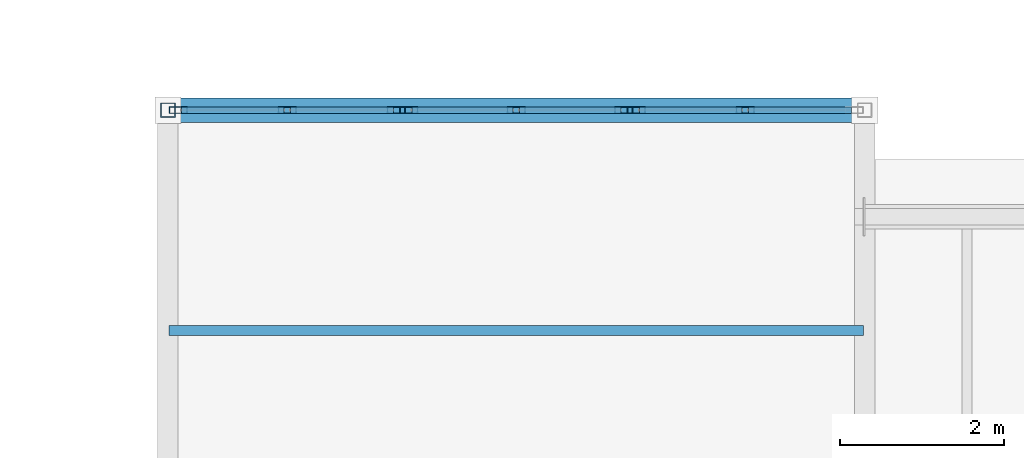
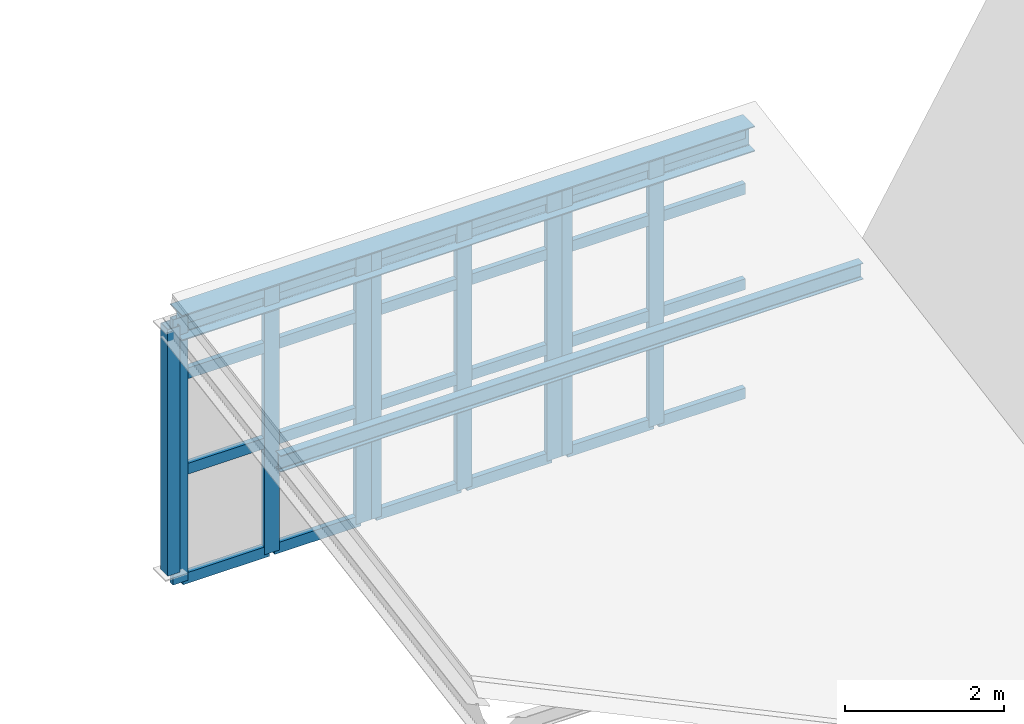
# One storey, part 17 of 77: 34 members, 1 beam, 3 elements without a shape of their own.
"""IFC4 building model written with IfcOpenShell, lengths in metres."""

from ifc_helpers import new_model, si_unit, direction, frame, origin, origin_2d, place, context, subcontext, project, spatial, hollow_rectangle, i_section, extrude, material, material_profile, profile_set, type_object, element, aggregate, save


model = new_model("IFC4")

# Units and contexts
model_context = context("Model", 3, precision=1e-05, world=origin(), true_north=direction((0.0, 1.0)))
body_context = subcontext(model_context, "Body", "Model", "MODEL_VIEW")
ifc_project = project(units=[si_unit("LENGTHUNIT", "METRE"), si_unit("AREAUNIT", "SQUARE_METRE"), si_unit("VOLUMEUNIT", "CUBIC_METRE"), si_unit("PLANEANGLEUNIT", "RADIAN"), si_unit("MASSUNIT", "GRAM", prefix="KILO"), si_unit("THERMODYNAMICTEMPERATUREUNIT", "KELVIN"), si_unit("POWERUNIT", "WATT")], contexts=[model_context])

# Site, building, storey
site_placement = place(None, origin())
site = spatial("IfcSite", under=ifc_project, at=site_placement, CompositionType="ELEMENT")
building_placement = place(site_placement, origin())
building = spatial("IfcBuilding", under=site, at=building_placement, Name="Zhenchuan Central Fire Station", CompositionType="ELEMENT")
storey_placement = place(building_placement, frame((0.0, 0.0, 10.050048828125)))
storey = spatial("IfcBuildingStorey", under=building, at=storey_placement, Name="L03", CompositionType="ELEMENT", Elevation=10.050048828125)

# Beam
ifc_material_1 = material(Name="Steel Q355B", Category="steel")
ifc_material_profile_1 = material_profile(ifc_material_1, i_section(OverallWidth=0.300048828125, OverallDepth=0.389892578125, WebThickness=0.010009765625, FlangeThickness=0.01611328125, FilletRadius=0.02001953125, at=origin_2d()), Name="HM 390x300")
ifc_profile_set_1 = profile_set([ifc_material_profile_1], Name="Steel Q355B")
beam_type = type_object("IfcBeamType", Name="BM-HM390-INT", PredefinedType="BEAM", material=ifc_profile_set_1)
beam_placement = place(storey_placement, frame((56.090087890625, 35.5, 3.78515625), z_axis=(1.0, 0.0, 0.0), x_axis=(0.0, 1.0, 0.0)))
element("IfcBeam", 1, at=beam_placement, inside=storey, type_object=beam_type, Name="Pavilion H01 North-Light Ridge Girder", PredefinedType="BEAM", context=body_context, shape_type="SweptSolid", body=[
    extrude(i_section(OverallWidth=0.300048828125, OverallDepth=0.389892578125, WebThickness=0.010009765625, FlangeThickness=0.01611328125, FilletRadius=0.02001953125, at=origin_2d()), origin(), (0.0, 0.0, 1.0), 8.31982421875),
])

# Curtain wall, members
ifc_material_2 = material(Name="Anodised aluminium and low-E glazing", Category="aluminium")
curtain_wall_type_1 = type_object("IfcCurtainWallType", Name="CW-MOD-18", PredefinedType="USERDEFINED", material=ifc_material_2)
curtain_wall_1_placement = place(storey_placement, origin())
curtain_wall_1 = element("IfcCurtainWall", 2, at=curtain_wall_1_placement, inside=storey, type_object=curtain_wall_type_1, Name="L03 Unitised Curtain Wall 001", ObjectType="UNITISED GLAZING", PredefinedType="USERDEFINED")
ifc_material_3 = material(Name="Anodised aluminium EN AW-6063", Category="aluminium")
ifc_material_profile_2 = material_profile(ifc_material_3, hollow_rectangle(XDim=0.080078125, YDim=0.219970703125, WallThickness=0.005615234375, at=origin_2d()), Name="ALU-M 220x80")
ifc_profile_set_2 = profile_set([ifc_material_profile_2], Name="Anodised aluminium EN AW-6063")
member_type_1 = type_object("IfcMemberType", Name="CW-MUL200", PredefinedType="MULLION", material=ifc_profile_set_2)
member_1_placement = place(storey_placement, frame((56.12548828125, 35.5, -0.2041015625), z_axis=(0.0, 0.0, 1.0), x_axis=(0.0, 1.0, 0.0)))
member_1 = element("IfcMember", 3, at=member_1_placement, type_object=member_type_1, Name="CW-18 mullion 1", PredefinedType="MULLION", context=body_context, shape_type="SweptSolid", body=[
    extrude(hollow_rectangle(XDim=0.080078125, YDim=0.219970703125, WallThickness=0.005615234375, at=origin_2d()), origin(), (0.0, 0.0, 1.0), 4.073974609375),
])
member_2_placement = place(storey_placement, frame((57.456298828125, 35.5, -0.2041015625), z_axis=(0.0, 0.0, 1.0), x_axis=(0.0, 1.0, 0.0)))
member_2 = element("IfcMember", 4, at=member_2_placement, type_object=member_type_1, Name="CW-18 mullion 2", PredefinedType="MULLION", context=body_context, shape_type="SweptSolid", body=[
    extrude(hollow_rectangle(XDim=0.080078125, YDim=0.219970703125, WallThickness=0.005615234375, at=origin_2d()), origin(), (0.0, 0.0, 1.0), 4.073974609375),
])
member_3_placement = place(storey_placement, frame((58.787109375, 35.5, -0.2041015625), z_axis=(0.0, 0.0, 1.0), x_axis=(0.0, 1.0, 0.0)))
member_3 = element("IfcMember", 5, at=member_3_placement, type_object=member_type_1, Name="CW-18 mullion 3", PredefinedType="MULLION", context=body_context, shape_type="SweptSolid", body=[
    extrude(hollow_rectangle(XDim=0.080078125, YDim=0.219970703125, WallThickness=0.005615234375, at=origin_2d()), origin(), (0.0, 0.0, 1.0), 4.073974609375),
])

curtain_wall_type_2 = type_object("IfcCurtainWallType", Name="CW-MOD-19", PredefinedType="USERDEFINED", material=ifc_material_2)
curtain_wall_2_placement = place(storey_placement, origin())
curtain_wall_2 = element("IfcCurtainWall", 6, at=curtain_wall_2_placement, inside=storey, type_object=curtain_wall_type_2, Name="L03 Unitised Curtain Wall 002", ObjectType="UNITISED GLAZING", PredefinedType="USERDEFINED")
member_4_placement = place(storey_placement, frame((58.938232421875, 35.5, -0.2041015625), z_axis=(0.0, 0.0, 1.0), x_axis=(0.0, 1.0, 0.0)))
member_4 = element("IfcMember", 7, at=member_4_placement, type_object=member_type_1, Name="CW-19 mullion 1", PredefinedType="MULLION", context=body_context, shape_type="SweptSolid", body=[
    extrude(hollow_rectangle(XDim=0.080078125, YDim=0.219970703125, WallThickness=0.005615234375, at=origin_2d()), origin(), (0.0, 0.0, 1.0), 4.073974609375),
])
member_5_placement = place(storey_placement, frame((60.25, 35.5, -0.2041015625), z_axis=(0.0, 0.0, 1.0), x_axis=(0.0, 1.0, 0.0)))
member_5 = element("IfcMember", 8, at=member_5_placement, type_object=member_type_1, Name="CW-19 mullion 2", PredefinedType="MULLION", context=body_context, shape_type="SweptSolid", body=[
    extrude(hollow_rectangle(XDim=0.080078125, YDim=0.219970703125, WallThickness=0.005615234375, at=origin_2d()), origin(), (0.0, 0.0, 1.0), 4.073974609375),
])
member_6_placement = place(storey_placement, frame((61.561767578125, 35.5, -0.2041015625), z_axis=(0.0, 0.0, 1.0), x_axis=(0.0, 1.0, 0.0)))
member_6 = element("IfcMember", 9, at=member_6_placement, type_object=member_type_1, Name="CW-19 mullion 3", PredefinedType="MULLION", context=body_context, shape_type="SweptSolid", body=[
    extrude(hollow_rectangle(XDim=0.080078125, YDim=0.219970703125, WallThickness=0.005615234375, at=origin_2d()), origin(), (0.0, 0.0, 1.0), 4.073974609375),
])

curtain_wall_type_3 = type_object("IfcCurtainWallType", Name="CW-MOD-20", PredefinedType="USERDEFINED", material=ifc_material_2)
curtain_wall_3_placement = place(storey_placement, origin())
curtain_wall_3 = element("IfcCurtainWall", 10, at=curtain_wall_3_placement, inside=storey, type_object=curtain_wall_type_3, Name="L03 Unitised Curtain Wall 003", ObjectType="UNITISED GLAZING", PredefinedType="USERDEFINED")
member_7_placement = place(storey_placement, frame((61.712890625, 35.5, -0.2041015625), z_axis=(0.0, 0.0, 1.0), x_axis=(0.0, 1.0, 0.0)))
member_7 = element("IfcMember", 11, at=member_7_placement, type_object=member_type_1, Name="CW-20 mullion 1", PredefinedType="MULLION", context=body_context, shape_type="SweptSolid", body=[
    extrude(hollow_rectangle(XDim=0.080078125, YDim=0.219970703125, WallThickness=0.005615234375, at=origin_2d()), origin(), (0.0, 0.0, 1.0), 4.073974609375),
])
member_8_placement = place(storey_placement, frame((63.043701171875, 35.5, -0.2041015625), z_axis=(0.0, 0.0, 1.0), x_axis=(0.0, 1.0, 0.0)))
member_8 = element("IfcMember", 12, at=member_8_placement, type_object=member_type_1, Name="CW-20 mullion 2", PredefinedType="MULLION", context=body_context, shape_type="SweptSolid", body=[
    extrude(hollow_rectangle(XDim=0.080078125, YDim=0.219970703125, WallThickness=0.005615234375, at=origin_2d()), origin(), (0.0, 0.0, 1.0), 4.073974609375),
])

# Member
ifc_material_profile_3 = material_profile(ifc_material_3, hollow_rectangle(XDim=0.080078125, YDim=0.1650390625, WallThickness=0.0048828125, at=origin_2d()), Name="ALU-T 165x80")
ifc_profile_set_3 = profile_set([ifc_material_profile_3], Name="Anodised aluminium EN AW-6063")
member_type_2 = type_object("IfcMemberType", Name="CW-TRN150", PredefinedType="NOTDEFINED", material=ifc_profile_set_3)
member_9_placement = place(storey_placement, frame((56.1630859375, 35.5, -0.16650390625), z_axis=(1.0, 0.0, 0.0), x_axis=(0.0, 1.0, 0.0)))
member_9 = element("IfcMember", 13, at=member_9_placement, type_object=member_type_2, Name="CW-18 transom 1.1", ObjectType="TRANSOM", PredefinedType="USERDEFINED", context=body_context, shape_type="SweptSolid", body=[
    extrude(hollow_rectangle(XDim=0.080078125, YDim=0.1650390625, WallThickness=0.0048828125, at=origin_2d()), origin(), (0.0, 0.0, 1.0), 1.255859375),
])

member_10_placement = place(storey_placement, frame((56.1630859375, 35.5, 1.50927734375), z_axis=(1.0, 0.0, 0.0), x_axis=(0.0, 1.0, 0.0)))
member_10 = element("IfcMember", 14, at=member_10_placement, type_object=member_type_2, Name="CW-18 transom 1.2", ObjectType="TRANSOM", PredefinedType="USERDEFINED", context=body_context, shape_type="SweptSolid", body=[
    extrude(hollow_rectangle(XDim=0.080078125, YDim=0.1650390625, WallThickness=0.0048828125, at=origin_2d()), origin(), (0.0, 0.0, 1.0), 1.255859375),
])

member_11_placement = place(storey_placement, frame((56.1630859375, 35.5, 2.974609375), z_axis=(1.0, 0.0, 0.0), x_axis=(0.0, 1.0, 0.0)))
member_11 = element("IfcMember", 15, at=member_11_placement, type_object=member_type_2, Name="CW-18 transom 1.3", ObjectType="TRANSOM", PredefinedType="USERDEFINED", context=body_context, shape_type="SweptSolid", body=[
    extrude(hollow_rectangle(XDim=0.080078125, YDim=0.1650390625, WallThickness=0.0048828125, at=origin_2d()), origin(), (0.0, 0.0, 1.0), 1.255859375),
])

member_12_placement = place(storey_placement, frame((56.1630859375, 35.5, 3.83251953125), z_axis=(1.0, 0.0, 0.0), x_axis=(0.0, 1.0, 0.0)))
member_12 = element("IfcMember", 16, at=member_12_placement, type_object=member_type_2, Name="CW-18 transom 1.4", ObjectType="TRANSOM", PredefinedType="USERDEFINED", context=body_context, shape_type="SweptSolid", body=[
    extrude(hollow_rectangle(XDim=0.080078125, YDim=0.1650390625, WallThickness=0.0048828125, at=origin_2d()), origin(), (0.0, 0.0, 1.0), 1.255859375),
])

member_13_placement = place(storey_placement, frame((57.493896484375, 35.5, -0.16650390625), z_axis=(1.0, 0.0, 0.0), x_axis=(0.0, 1.0, 0.0)))
member_13 = element("IfcMember", 17, at=member_13_placement, type_object=member_type_2, Name="CW-18 transom 2.1", ObjectType="TRANSOM", PredefinedType="USERDEFINED", context=body_context, shape_type="SweptSolid", body=[
    extrude(hollow_rectangle(XDim=0.080078125, YDim=0.1650390625, WallThickness=0.0048828125, at=origin_2d()), origin(), (0.0, 0.0, 1.0), 1.255859375),
])

member_14_placement = place(storey_placement, frame((57.493896484375, 35.5, 1.50927734375), z_axis=(1.0, 0.0, 0.0), x_axis=(0.0, 1.0, 0.0)))
member_14 = element("IfcMember", 18, at=member_14_placement, type_object=member_type_2, Name="CW-18 transom 2.2", ObjectType="TRANSOM", PredefinedType="USERDEFINED", context=body_context, shape_type="SweptSolid", body=[
    extrude(hollow_rectangle(XDim=0.080078125, YDim=0.1650390625, WallThickness=0.0048828125, at=origin_2d()), origin(), (0.0, 0.0, 1.0), 1.255859375),
])

member_15_placement = place(storey_placement, frame((57.493896484375, 35.5, 2.974609375), z_axis=(1.0, 0.0, 0.0), x_axis=(0.0, 1.0, 0.0)))
member_15 = element("IfcMember", 19, at=member_15_placement, type_object=member_type_2, Name="CW-18 transom 2.3", ObjectType="TRANSOM", PredefinedType="USERDEFINED", context=body_context, shape_type="SweptSolid", body=[
    extrude(hollow_rectangle(XDim=0.080078125, YDim=0.1650390625, WallThickness=0.0048828125, at=origin_2d()), origin(), (0.0, 0.0, 1.0), 1.255859375),
])

member_16_placement = place(storey_placement, frame((57.493896484375, 35.5, 3.83251953125), z_axis=(1.0, 0.0, 0.0), x_axis=(0.0, 1.0, 0.0)))
member_16 = element("IfcMember", 20, at=member_16_placement, type_object=member_type_2, Name="CW-18 transom 2.4", ObjectType="TRANSOM", PredefinedType="USERDEFINED", context=body_context, shape_type="SweptSolid", body=[
    extrude(hollow_rectangle(XDim=0.080078125, YDim=0.1650390625, WallThickness=0.0048828125, at=origin_2d()), origin(), (0.0, 0.0, 1.0), 1.255859375),
])

aggregate(curtain_wall_1, [member_1, member_2, member_3, member_9, member_10, member_11, member_12, member_13, member_14, member_15, member_16])

member_17_placement = place(storey_placement, frame((58.9755859375, 35.5, -0.16650390625), z_axis=(1.0, 0.0, 0.0), x_axis=(0.0, 1.0, 0.0)))
member_17 = element("IfcMember", 21, at=member_17_placement, type_object=member_type_2, Name="CW-19 transom 1.1", ObjectType="TRANSOM", PredefinedType="USERDEFINED", context=body_context, shape_type="SweptSolid", body=[
    extrude(hollow_rectangle(XDim=0.080078125, YDim=0.1650390625, WallThickness=0.0048828125, at=origin_2d()), origin(), (0.0, 0.0, 1.0), 1.23681640625),
])

member_18_placement = place(storey_placement, frame((58.9755859375, 35.5, 1.50927734375), z_axis=(1.0, 0.0, 0.0), x_axis=(0.0, 1.0, 0.0)))
member_18 = element("IfcMember", 22, at=member_18_placement, type_object=member_type_2, Name="CW-19 transom 1.2", ObjectType="TRANSOM", PredefinedType="USERDEFINED", context=body_context, shape_type="SweptSolid", body=[
    extrude(hollow_rectangle(XDim=0.080078125, YDim=0.1650390625, WallThickness=0.0048828125, at=origin_2d()), origin(), (0.0, 0.0, 1.0), 1.23681640625),
])

member_19_placement = place(storey_placement, frame((58.9755859375, 35.5, 2.974609375), z_axis=(1.0, 0.0, 0.0), x_axis=(0.0, 1.0, 0.0)))
member_19 = element("IfcMember", 23, at=member_19_placement, type_object=member_type_2, Name="CW-19 transom 1.3", ObjectType="TRANSOM", PredefinedType="USERDEFINED", context=body_context, shape_type="SweptSolid", body=[
    extrude(hollow_rectangle(XDim=0.080078125, YDim=0.1650390625, WallThickness=0.0048828125, at=origin_2d()), origin(), (0.0, 0.0, 1.0), 1.23681640625),
])

member_20_placement = place(storey_placement, frame((58.9755859375, 35.5, 3.83251953125), z_axis=(1.0, 0.0, 0.0), x_axis=(0.0, 1.0, 0.0)))
member_20 = element("IfcMember", 24, at=member_20_placement, type_object=member_type_2, Name="CW-19 transom 1.4", ObjectType="TRANSOM", PredefinedType="USERDEFINED", context=body_context, shape_type="SweptSolid", body=[
    extrude(hollow_rectangle(XDim=0.080078125, YDim=0.1650390625, WallThickness=0.0048828125, at=origin_2d()), origin(), (0.0, 0.0, 1.0), 1.23681640625),
])

member_21_placement = place(storey_placement, frame((60.28759765625, 35.5, -0.16650390625), z_axis=(1.0, 0.0, 0.0), x_axis=(0.0, 1.0, 0.0)))
member_21 = element("IfcMember", 25, at=member_21_placement, type_object=member_type_2, Name="CW-19 transom 2.1", ObjectType="TRANSOM", PredefinedType="USERDEFINED", context=body_context, shape_type="SweptSolid", body=[
    extrude(hollow_rectangle(XDim=0.080078125, YDim=0.1650390625, WallThickness=0.0048828125, at=origin_2d()), origin(), (0.0, 0.0, 1.0), 1.23681640625),
])

member_22_placement = place(storey_placement, frame((60.28759765625, 35.5, 1.50927734375), z_axis=(1.0, 0.0, 0.0), x_axis=(0.0, 1.0, 0.0)))
member_22 = element("IfcMember", 26, at=member_22_placement, type_object=member_type_2, Name="CW-19 transom 2.2", ObjectType="TRANSOM", PredefinedType="USERDEFINED", context=body_context, shape_type="SweptSolid", body=[
    extrude(hollow_rectangle(XDim=0.080078125, YDim=0.1650390625, WallThickness=0.0048828125, at=origin_2d()), origin(), (0.0, 0.0, 1.0), 1.23681640625),
])

member_23_placement = place(storey_placement, frame((60.28759765625, 35.5, 2.974609375), z_axis=(1.0, 0.0, 0.0), x_axis=(0.0, 1.0, 0.0)))
member_23 = element("IfcMember", 27, at=member_23_placement, type_object=member_type_2, Name="CW-19 transom 2.3", ObjectType="TRANSOM", PredefinedType="USERDEFINED", context=body_context, shape_type="SweptSolid", body=[
    extrude(hollow_rectangle(XDim=0.080078125, YDim=0.1650390625, WallThickness=0.0048828125, at=origin_2d()), origin(), (0.0, 0.0, 1.0), 1.23681640625),
])

member_24_placement = place(storey_placement, frame((60.28759765625, 35.5, 3.83251953125), z_axis=(1.0, 0.0, 0.0), x_axis=(0.0, 1.0, 0.0)))
member_24 = element("IfcMember", 28, at=member_24_placement, type_object=member_type_2, Name="CW-19 transom 2.4", ObjectType="TRANSOM", PredefinedType="USERDEFINED", context=body_context, shape_type="SweptSolid", body=[
    extrude(hollow_rectangle(XDim=0.080078125, YDim=0.1650390625, WallThickness=0.0048828125, at=origin_2d()), origin(), (0.0, 0.0, 1.0), 1.23681640625),
])

aggregate(curtain_wall_2, [member_4, member_5, member_6, member_17, member_18, member_19, member_20, member_21, member_22, member_23, member_24])

member_25_placement = place(storey_placement, frame((61.750244140625, 35.5, -0.16650390625), z_axis=(1.0, 0.0, 0.0), x_axis=(0.0, 1.0, 0.0)))
member_25 = element("IfcMember", 29, at=member_25_placement, type_object=member_type_2, Name="CW-20 transom 1.1", ObjectType="TRANSOM", PredefinedType="USERDEFINED", context=body_context, shape_type="SweptSolid", body=[
    extrude(hollow_rectangle(XDim=0.080078125, YDim=0.1650390625, WallThickness=0.0048828125, at=origin_2d()), origin(), (0.0, 0.0, 1.0), 1.255859375),
])

member_26_placement = place(storey_placement, frame((61.750244140625, 35.5, 1.50927734375), z_axis=(1.0, 0.0, 0.0), x_axis=(0.0, 1.0, 0.0)))
member_26 = element("IfcMember", 30, at=member_26_placement, type_object=member_type_2, Name="CW-20 transom 1.2", ObjectType="TRANSOM", PredefinedType="USERDEFINED", context=body_context, shape_type="SweptSolid", body=[
    extrude(hollow_rectangle(XDim=0.080078125, YDim=0.1650390625, WallThickness=0.0048828125, at=origin_2d()), origin(), (0.0, 0.0, 1.0), 1.255859375),
])

member_27_placement = place(storey_placement, frame((61.750244140625, 35.5, 2.974609375), z_axis=(1.0, 0.0, 0.0), x_axis=(0.0, 1.0, 0.0)))
member_27 = element("IfcMember", 31, at=member_27_placement, type_object=member_type_2, Name="CW-20 transom 1.3", ObjectType="TRANSOM", PredefinedType="USERDEFINED", context=body_context, shape_type="SweptSolid", body=[
    extrude(hollow_rectangle(XDim=0.080078125, YDim=0.1650390625, WallThickness=0.0048828125, at=origin_2d()), origin(), (0.0, 0.0, 1.0), 1.255859375),
])

member_28_placement = place(storey_placement, frame((61.750244140625, 35.5, 3.83251953125), z_axis=(1.0, 0.0, 0.0), x_axis=(0.0, 1.0, 0.0)))
member_28 = element("IfcMember", 32, at=member_28_placement, type_object=member_type_2, Name="CW-20 transom 1.4", ObjectType="TRANSOM", PredefinedType="USERDEFINED", context=body_context, shape_type="SweptSolid", body=[
    extrude(hollow_rectangle(XDim=0.080078125, YDim=0.1650390625, WallThickness=0.0048828125, at=origin_2d()), origin(), (0.0, 0.0, 1.0), 1.255859375),
])

member_29_placement = place(storey_placement, frame((63.0810546875, 35.5, -0.16650390625), z_axis=(1.0, 0.0, 0.0), x_axis=(0.0, 1.0, 0.0)))
member_29 = element("IfcMember", 33, at=member_29_placement, type_object=member_type_2, Name="CW-20 transom 2.1", ObjectType="TRANSOM", PredefinedType="USERDEFINED", context=body_context, shape_type="SweptSolid", body=[
    extrude(hollow_rectangle(XDim=0.080078125, YDim=0.1650390625, WallThickness=0.0048828125, at=origin_2d()), origin(), (0.0, 0.0, 1.0), 1.255859375),
])

member_30_placement = place(storey_placement, frame((63.0810546875, 35.5, 1.50927734375), z_axis=(1.0, 0.0, 0.0), x_axis=(0.0, 1.0, 0.0)))
member_30 = element("IfcMember", 34, at=member_30_placement, type_object=member_type_2, Name="CW-20 transom 2.2", ObjectType="TRANSOM", PredefinedType="USERDEFINED", context=body_context, shape_type="SweptSolid", body=[
    extrude(hollow_rectangle(XDim=0.080078125, YDim=0.1650390625, WallThickness=0.0048828125, at=origin_2d()), origin(), (0.0, 0.0, 1.0), 1.255859375),
])

member_31_placement = place(storey_placement, frame((63.0810546875, 35.5, 2.974609375), z_axis=(1.0, 0.0, 0.0), x_axis=(0.0, 1.0, 0.0)))
member_31 = element("IfcMember", 35, at=member_31_placement, type_object=member_type_2, Name="CW-20 transom 2.3", ObjectType="TRANSOM", PredefinedType="USERDEFINED", context=body_context, shape_type="SweptSolid", body=[
    extrude(hollow_rectangle(XDim=0.080078125, YDim=0.1650390625, WallThickness=0.0048828125, at=origin_2d()), origin(), (0.0, 0.0, 1.0), 1.255859375),
])

member_32_placement = place(storey_placement, frame((63.0810546875, 35.5, 3.83251953125), z_axis=(1.0, 0.0, 0.0), x_axis=(0.0, 1.0, 0.0)))
member_32 = element("IfcMember", 36, at=member_32_placement, type_object=member_type_2, Name="CW-20 transom 2.4", ObjectType="TRANSOM", PredefinedType="USERDEFINED", context=body_context, shape_type="SweptSolid", body=[
    extrude(hollow_rectangle(XDim=0.080078125, YDim=0.1650390625, WallThickness=0.0048828125, at=origin_2d()), origin(), (0.0, 0.0, 1.0), 1.255859375),
])

aggregate(curtain_wall_3, [member_7, member_8, member_25, member_26, member_27, member_28, member_29, member_30, member_31, member_32])

# Members
ifc_material_profile_4 = material_profile(ifc_material_1, i_section(OverallWidth=0.125, OverallDepth=0.25, WebThickness=0.006103515625, FlangeThickness=0.009033203125, FilletRadius=0.011962890625, at=origin_2d()), Name="HN 250x125")
ifc_profile_set_4 = profile_set([ifc_material_profile_4], Name="Steel Q355B")
member_type_3 = type_object("IfcMemberType", Name="MB-PR-HN250", PredefinedType="PURLIN", material=ifc_profile_set_4)
member_33_placement = place(storey_placement, frame((56.014892578125, 32.81103515625, 3.30126953125), z_axis=(1.0, 0.0, 0.0), x_axis=(0.0, 1.0, 0.0)))
element("IfcMember", 37, at=member_33_placement, inside=storey, type_object=member_type_3, Name="Pavilion H01 Roof Purlin 8", PredefinedType="PURLIN", context=body_context, shape_type="SweptSolid", body=[
    extrude(i_section(OverallWidth=0.125, OverallDepth=0.25, WebThickness=0.006103515625, FlangeThickness=0.009033203125, FilletRadius=0.011962890625, at=origin_2d()), origin(), (0.0, 0.0, 1.0), 8.47021484375),
])
ifc_material_profile_5 = material_profile(ifc_material_1, hollow_rectangle(XDim=0.179931640625, YDim=0.179931640625, WallThickness=0.010009765625, at=origin_2d()), Name="SHS 180x180x10")
ifc_profile_set_5 = profile_set([ifc_material_profile_5], Name="Steel Q355B")
member_type_4 = type_object("IfcMemberType", Name="MB-PS-SHS180", PredefinedType="POST", material=ifc_profile_set_5)
member_34_placement = place(storey_placement, frame((56.0, 35.5, 0.0), z_axis=(0.0, 0.0, 1.0), x_axis=(1.0, 0.0, 0.0)))
element("IfcMember", 38, at=member_34_placement, inside=storey, type_object=member_type_4, Name="Pavilion H01 North-Light Truss Post 1", PredefinedType="POST", context=body_context, shape_type="SweptSolid", body=[
    extrude(hollow_rectangle(XDim=0.179931640625, YDim=0.179931640625, WallThickness=0.010009765625, at=origin_2d()), origin(), (0.0, 0.0, 1.0), 3.78515625),
])

save(model, "model.ifc")
